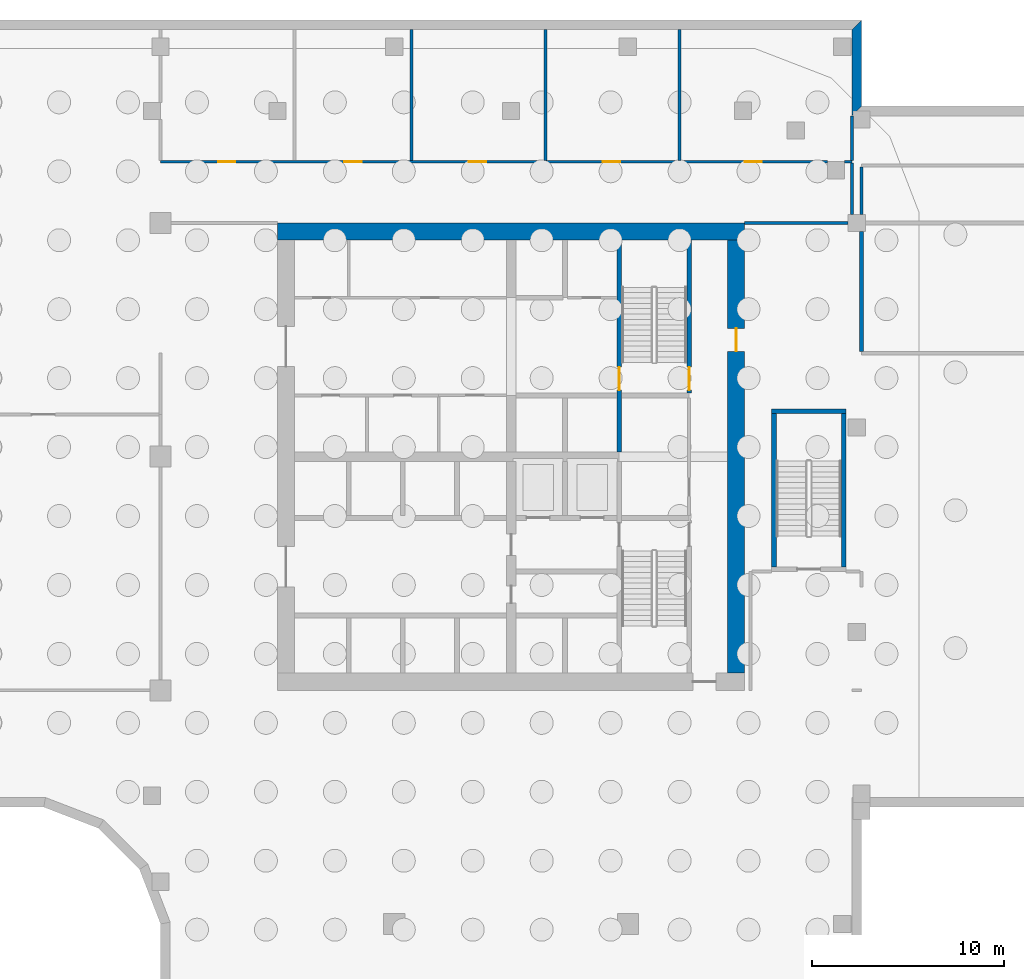
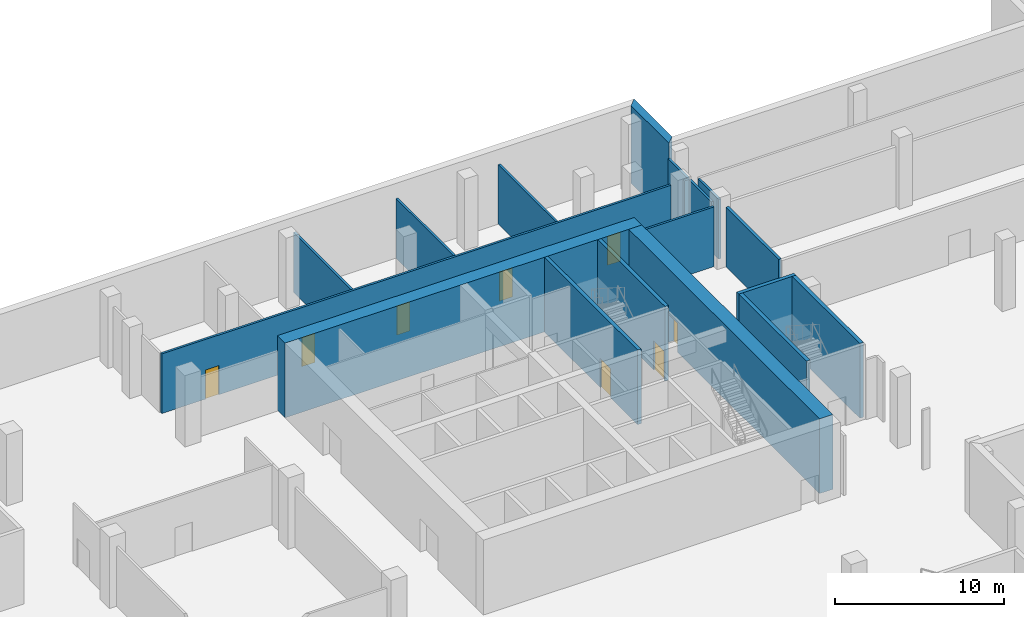
# One storey, part 6 of 13: 18 walls, 8 doors, 8 openings.
"""IFC4 building model written with IfcOpenShell, lengths in metres."""

from ifc_helpers import new_model, si_unit, direction, frame, frame_2d, origin, place, context, subcontext, project, spatial, polyline, rectangle, outline, extrude, source, transform, mapped, material, layer, layer_set, type_object, element, fill, save


model = new_model("IFC4")

# Units and contexts
model_context = context("Model", 3, precision=1e-05, world=origin(), true_north=direction((0.0, 1.0)))
body_context = subcontext(model_context, "Body", "Model", "MODEL_VIEW")
ifc_project = project(units=[si_unit("LENGTHUNIT", "METRE"), si_unit("AREAUNIT", "SQUARE_METRE"), si_unit("VOLUMEUNIT", "CUBIC_METRE"), si_unit("PLANEANGLEUNIT", "RADIAN"), si_unit("MASSUNIT", "GRAM", prefix="KILO")], contexts=[model_context])

# Site, building, storey
site_placement = place(None, origin())
site = spatial("IfcSite", under=ifc_project, at=site_placement, CompositionType="ELEMENT")
building_placement = place(site_placement, origin())
building = spatial("IfcBuilding", under=site, at=building_placement, Name="Tessera Gate Towers", CompositionType="ELEMENT")
storey_placement = place(building_placement, frame((0.0, 0.0, -5.39990234375)))
storey = spatial("IfcBuildingStorey", under=building, at=storey_placement, Name="B1", CompositionType="ELEMENT", Elevation=-5.39990234375)

# Wall, opening, door
ifc_material_1 = material(Name="Concrete C40/50", Category="concrete")
ifc_layer_1 = layer(ifc_material_1, 0.25)
ifc_layer_set_1 = layer_set([ifc_layer_1], Name="CORE ENCLOSURE WALL 250")
wall_type_1 = type_object("IfcWallType", Name="CORE ENCLOSURE WALL 250", PredefinedType="SOLIDWALL", material=ifc_layer_set_1)
wall_1_placement = place(storey_placement, frame((48.35009765625, 47.89990234375, 0.0), z_axis=(0.0, 0.0, 1.0), x_axis=(0.0, -1.0, 0.0)))
wall_1 = element("IfcWall", 1, at=wall_1_placement, inside=storey, type_object=wall_type_1, Name="B1 shaft and stair enclosure wall", PredefinedType="SOLIDWALL", context=body_context, shape_type="SweptSolid", body=[
    extrude(rectangle(XDim=11.0498046875, YDim=0.25, at=frame_2d((5.52490234375, 0.0))), origin(), (0.0, 0.0, 1.0), 5.39990234375),
])
shared_shape_1 = source(origin(), body_context, "Body", "SweptSolid", [
    extrude(rectangle(XDim=1.199951171875, YDim=2.10009765625, at=frame_2d((0.60009765625, 1.050048828125))), frame((0.0, 0.135009765625, 0.0), z_axis=(0.0, -1.0, 0.0), x_axis=(1.0, 0.0, 0.0)), (0.0, 0.0, 1.0), 0.27001953125),
])
opening_1_placement = place(wall_1_placement, frame((6.625, 0.0, 0.0)))
opening_1 = element("IfcOpeningElement", 2, at=opening_1_placement, cuts=wall_1, Name="Opening SD-ST2-1", PredefinedType="OPENING", context=body_context, shape_type="MappedRepresentation", body=[
    mapped(shared_shape_1, transform((0.0, 0.0, 0.0), scale=1.0)),
])
ifc_material_2 = material(Name="Hollow steel fire door", Category="steel")
door_type_1 = type_object("IfcDoorType", Name="CORE DOOR SD 1200x2100", OperationType="NOTDEFINED", PredefinedType="DOOR", material=ifc_material_2)
shared_shape_2 = source(origin(), body_context, "Body", "SweptSolid", [
    extrude(rectangle(XDim=1.199951171875, YDim=2.10009765625, at=frame_2d((0.60009765625, 1.050048828125))), frame((0.0, 0.02490234375, 0.0), z_axis=(0.0, -1.0, 0.0), x_axis=(1.0, 0.0, 0.0)), (0.0, 0.0, 1.0), 0.050048828125),
])
door_1_placement = place(opening_1_placement, origin())
door_1 = element("IfcDoor", 3, at=door_1_placement, inside=storey, type_object=door_type_1, Name="Stair door", OperationType="SINGLE_SWING_RIGHT", OverallHeight=2.10009765625, OverallWidth=1.199951171875, PredefinedType="DOOR", context=body_context, shape_type="MappedRepresentation", body=[
    mapped(shared_shape_2, transform((0.0, 0.0, 0.0), scale=1.0)),
])
fill(opening_1, door_1)

wall_2_placement = place(storey_placement, frame((52.0, 39.925048828125, 0.0), z_axis=(0.0, 0.0, 1.0), x_axis=(0.0, 1.0, 0.0)))
wall_2 = element("IfcWall", 4, at=wall_2_placement, inside=storey, type_object=wall_type_1, Name="B1 shaft and stair enclosure wall", PredefinedType="SOLIDWALL", context=body_context, shape_type="SweptSolid", body=[
    extrude(rectangle(XDim=7.974853515625, YDim=0.25, at=frame_2d((3.9873046875, 0.0))), origin(), (0.0, 0.0, 1.0), 5.39990234375),
])
opening_2_placement = place(wall_2_placement, frame((0.14990234375, 0.0, 0.0)))
opening_2 = element("IfcOpeningElement", 5, at=opening_2_placement, cuts=wall_2, Name="Opening SD-ST2-2", PredefinedType="OPENING", context=body_context, shape_type="MappedRepresentation", body=[
    mapped(shared_shape_1, transform((0.0, 0.0, 0.0), scale=1.0)),
])
door_2_placement = place(opening_2_placement, origin())
door_2 = element("IfcDoor", 6, at=door_2_placement, inside=storey, type_object=door_type_1, Name="Stair door", OperationType="SINGLE_SWING_LEFT", OverallHeight=2.10009765625, OverallWidth=1.199951171875, PredefinedType="DOOR", context=body_context, shape_type="MappedRepresentation", body=[
    mapped(shared_shape_2, transform((0.0, 0.0, 0.0), scale=1.0)),
])
fill(opening_2, door_2)

# Walls
wall_3_placement = place(storey_placement, frame((56.425048828125, 30.85009765625, 0.0), z_axis=(0.0, 0.0, 1.0), x_axis=(0.0, 1.0, 0.0)))
element("IfcWall", 7, at=wall_3_placement, inside=storey, type_object=wall_type_1, Name="B1 ST5 enclosure wall", PredefinedType="SOLIDWALL", context=body_context, shape_type="SweptSolid", body=[
    extrude(rectangle(XDim=8.0, YDim=0.25, at=frame_2d((4.0, 0.0))), origin(), (0.0, 0.0, 1.0), 5.39990234375),
])
wall_4_placement = place(storey_placement, frame((56.300048828125, 38.97509765625, 0.0), z_axis=(0.0, 0.0, 1.0), x_axis=(1.0, 0.0, 0.0)))
element("IfcWall", 8, at=wall_4_placement, inside=storey, type_object=wall_type_1, Name="B1 ST5 enclosure wall", PredefinedType="SOLIDWALL", context=body_context, shape_type="SweptSolid", body=[
    extrude(rectangle(XDim=3.89990234375, YDim=0.25, at=frame_2d((1.949951171875, 0.0))), origin(), (0.0, 0.0, 1.0), 5.39990234375),
])
wall_5_placement = place(storey_placement, frame((60.074951171875, 38.85009765625, 0.0), z_axis=(0.0, 0.0, 1.0), x_axis=(0.0, -1.0, 0.0)))
element("IfcWall", 9, at=wall_5_placement, inside=storey, type_object=wall_type_1, Name="B1 ST5 enclosure wall", PredefinedType="SOLIDWALL", context=body_context, shape_type="SweptSolid", body=[
    extrude(rectangle(XDim=8.0, YDim=0.25, at=frame_2d((4.0, 0.0))), origin(), (0.0, 0.0, 1.0), 5.39990234375),
])
ifc_material_3 = material(Name="Concrete C70/85", Category="concrete")
ifc_layer_2 = layer(ifc_material_3, 0.89990234375)
ifc_layer_set_2 = layer_set([ifc_layer_2], Name="CORE SHEAR WALL 900 C70/85")
wall_type_2 = type_object("IfcWallType", Name="CORE SHEAR WALL 900 C70/85", PredefinedType="SHEAR", material=ifc_layer_set_2)
wall_6_placement = place(storey_placement, frame((30.5, 48.35009765625, 0.0), z_axis=(0.0, 0.0, 1.0), x_axis=(1.0, 0.0, 0.0)))
element("IfcWall", 10, at=wall_6_placement, inside=storey, type_object=wall_type_2, Name="Core wall N B1", PredefinedType="SHEAR", context=body_context, shape_type="SweptSolid", body=[
    extrude(rectangle(XDim=24.39990234375, YDim=0.89990234375, at=frame_2d((12.199951171875, 0.0))), origin(), (0.0, 0.0, 1.0), 5.39990234375),
])

# Wall, opening, door
wall_7_placement = place(storey_placement, frame((54.449951171875, 47.89990234375, 0.0), z_axis=(0.0, 0.0, 1.0), x_axis=(0.0, -1.0, 0.0)))
wall_7 = element("IfcWall", 11, at=wall_7_placement, inside=storey, type_object=wall_type_2, Name="Core wall E B1", PredefinedType="SHEAR", context=body_context, shape_type="SweptSolid", body=[
    extrude(rectangle(XDim=22.599853515625, YDim=0.89990234375, at=frame_2d((11.2998046875, 0.0))), origin(), (0.0, 0.0, 1.0), 5.39990234375),
])
shared_shape_3 = source(origin(), body_context, "Body", "SweptSolid", [
    extrude(rectangle(XDim=1.199951171875, YDim=2.10009765625, at=frame_2d((0.60009765625, 1.050048828125))), frame((0.0, 0.4599609375, 0.0), z_axis=(0.0, -1.0, 0.0), x_axis=(1.0, 0.0, 0.0)), (0.0, 0.0, 1.0), 0.919921875),
])
opening_3_placement = place(wall_7_placement, frame((4.60009765625, 0.0, 0.0)))
opening_3 = element("IfcOpeningElement", 12, at=opening_3_placement, cuts=wall_7, Name="Opening ED-T1-01-04", PredefinedType="OPENING", context=body_context, shape_type="MappedRepresentation", body=[
    mapped(shared_shape_3, transform((0.0, 0.0, 0.0), scale=1.0)),
])
ifc_material_4 = material(Name="Hollow steel fire door", Category="steel")
door_type_2 = type_object("IfcDoorType", Name="CORE DOOR ED 1200x2100", OperationType="NOTDEFINED", PredefinedType="DOOR", material=ifc_material_4)
door_3_placement = place(opening_3_placement, origin())
door_3 = element("IfcDoor", 13, at=door_3_placement, inside=storey, type_object=door_type_2, Name="Core exit door", OperationType="SINGLE_SWING_LEFT", OverallHeight=2.10009765625, OverallWidth=1.199951171875, PredefinedType="DOOR", context=body_context, shape_type="MappedRepresentation", body=[
    mapped(shared_shape_2, transform((0.0, 0.0, 0.0), scale=1.0)),
])
fill(opening_3, door_3)

# Walls
ifc_material_5 = material(Name="Gypsum board on steel studs, mineral wool", Category="steel")
ifc_layer_3 = layer(ifc_material_5, 0.14990234375)
ifc_layer_set_3 = layer_set([ifc_layer_3], Name="CORRIDOR WALL 150")
wall_type_3 = type_object("IfcWallType", Name="CORRIDOR WALL 150", PredefinedType="PARTITIONING", material=ifc_layer_set_3)
wall_8_placement = place(storey_placement, frame((54.89990234375, 48.800048828125, 0.0), z_axis=(0.0, 0.0, 1.0), x_axis=(1.0, 0.0, 0.0)))
element("IfcWall", 14, at=wall_8_placement, inside=storey, type_object=wall_type_3, Name="PODIUM-B1-PW-018", PredefinedType="PARTITIONING", context=body_context, shape_type="SweptSolid", body=[
    extrude(rectangle(XDim=5.399169921875, YDim=0.14990234375, at=frame_2d((2.69970703125, 0.0))), origin(), (0.0, 0.0, 1.0), 4.31494140625),
])
wall_9_placement = place(storey_placement, frame((60.5, 49.2509765625, 0.0), z_axis=(0.0, 0.0, 1.0), x_axis=(0.0, 1.0, 0.0)))
element("IfcWall", 15, at=wall_9_placement, inside=storey, type_object=wall_type_3, Name="PODIUM-B1-PW-021", PredefinedType="PARTITIONING", context=body_context, shape_type="SweptSolid", body=[
    extrude(rectangle(XDim=2.673095703125, YDim=0.14990234375, at=frame_2d((1.33642578125, 0.0))), origin(), (0.0, 0.0, 1.0), 4.31494140625),
])
wall_10_placement = place(storey_placement, frame((61.0, 49.2509765625, 0.0), z_axis=(0.0, 0.0, 1.0), x_axis=(0.0, 1.0, 0.0)))
element("IfcWall", 16, at=wall_10_placement, inside=storey, type_object=wall_type_3, Name="PODIUM-B1-PW-022", PredefinedType="PARTITIONING", context=body_context, shape_type="SweptSolid", body=[
    extrude(rectangle(XDim=2.47314453125, YDim=0.14990234375, at=frame_2d((1.236572265625, 0.0))), origin(), (0.0, 0.0, 1.0), 4.31494140625),
])

# Wall, openings, doors
wall_11_placement = place(storey_placement, frame((24.39990234375, 52.0, 0.0), z_axis=(0.0, 0.0, 1.0), x_axis=(1.0, 0.0, 0.0)))
wall_11 = element("IfcWall", 17, at=wall_11_placement, inside=storey, type_object=wall_type_3, Name="PODIUM-B1-PW-034", PredefinedType="PARTITIONING", context=body_context, shape_type="SweptSolid", body=[
    extrude(rectangle(XDim=34.818115234375, YDim=0.14990234375, at=frame_2d((17.4091796875, 0.0))), origin(), (0.0, 0.0, 1.0), 4.31494140625),
])
shared_shape_4 = source(origin(), body_context, "Body", "SweptSolid", [
    extrude(rectangle(XDim=0.89990234375, YDim=2.10009765625, at=frame_2d((0.449951171875, 1.050048828125))), frame((0.0, 0.0849609375, 0.0), z_axis=(0.0, -1.0, 0.0), x_axis=(1.0, 0.0, 0.0)), (0.0, 0.0, 1.0), 0.169921875),
])
opening_4_placement = place(wall_11_placement, frame((9.60107421875, 0.0, 0.0)))
opening_4 = element("IfcOpeningElement", 18, at=opening_4_placement, cuts=wall_11, Name="Opening D890FD60-P00-03", PredefinedType="OPENING", context=body_context, shape_type="MappedRepresentation", body=[
    mapped(shared_shape_4, transform((0.0, 0.0, 0.0), scale=1.0)),
])
opening_5_placement = place(wall_11_placement, frame((23.10107421875, 0.0, 0.0)))
opening_5 = element("IfcOpeningElement", 19, at=opening_5_placement, cuts=wall_11, Name="Opening D890FD60-P00-05", PredefinedType="OPENING", context=body_context, shape_type="MappedRepresentation", body=[
    mapped(shared_shape_4, transform((0.0, 0.0, 0.0), scale=1.0)),
])
opening_6_placement = place(wall_11_placement, frame((3.0, 0.0, 0.0)))
opening_6 = element("IfcOpeningElement", 20, at=opening_6_placement, cuts=wall_11, Name="Opening D890FD60-P00-06", PredefinedType="OPENING", context=body_context, shape_type="MappedRepresentation", body=[
    mapped(shared_shape_4, transform((0.0, 0.0, 0.0), scale=1.0)),
])
opening_7_placement = place(wall_11_placement, frame((16.10009765625, 0.0, 0.0)))
opening_7 = element("IfcOpeningElement", 21, at=opening_7_placement, cuts=wall_11, Name="Opening D890FD60-P00-07", PredefinedType="OPENING", context=body_context, shape_type="MappedRepresentation", body=[
    mapped(shared_shape_4, transform((0.0, 0.0, 0.0), scale=1.0)),
])
opening_8_placement = place(wall_11_placement, frame((30.5, 0.0, 0.0)))
opening_8 = element("IfcOpeningElement", 22, at=opening_8_placement, cuts=wall_11, Name="Opening D890FD60-P00-08", PredefinedType="OPENING", context=body_context, shape_type="MappedRepresentation", body=[
    mapped(shared_shape_4, transform((0.0, 0.0, 0.0), scale=1.0)),
])
ifc_material_6 = material(Name="Timber door leaf in steel frame", Category="steel")
door_type_3 = type_object("IfcDoorType", Name="CORRIDOR DOOR 900 FD60", OperationType="NOTDEFINED", PredefinedType="DOOR", material=ifc_material_6)
shared_shape_5 = source(origin(), body_context, "Body", "SweptSolid", [
    extrude(rectangle(XDim=0.89990234375, YDim=2.10009765625, at=frame_2d((0.449951171875, 1.050048828125))), frame((0.0, 0.02490234375, 0.0), z_axis=(0.0, -1.0, 0.0), x_axis=(1.0, 0.0, 0.0)), (0.0, 0.0, 1.0), 0.050048828125),
])
door_4_placement = place(opening_4_placement, origin())
door_4 = element("IfcDoor", 23, at=door_4_placement, inside=storey, type_object=door_type_3, Name="PODIUM-B1-PD-004", OperationType="SINGLE_SWING_LEFT", OverallHeight=2.10009765625, OverallWidth=0.89990234375, PredefinedType="DOOR", context=body_context, shape_type="MappedRepresentation", body=[
    mapped(shared_shape_5, transform((0.0, 0.0, 0.0), scale=1.0)),
])
fill(opening_4, door_4)
door_5_placement = place(opening_5_placement, origin())
door_5 = element("IfcDoor", 24, at=door_5_placement, inside=storey, type_object=door_type_3, Name="PODIUM-B1-PD-006", OperationType="SINGLE_SWING_LEFT", OverallHeight=2.10009765625, OverallWidth=0.89990234375, PredefinedType="DOOR", context=body_context, shape_type="MappedRepresentation", body=[
    mapped(shared_shape_5, transform((0.0, 0.0, 0.0), scale=1.0)),
])
fill(opening_5, door_5)
door_6_placement = place(opening_6_placement, origin())
door_6 = element("IfcDoor", 25, at=door_6_placement, inside=storey, type_object=door_type_3, Name="PODIUM-B1-PD-007", OperationType="SINGLE_SWING_LEFT", OverallHeight=2.10009765625, OverallWidth=0.89990234375, PredefinedType="DOOR", context=body_context, shape_type="MappedRepresentation", body=[
    mapped(shared_shape_5, transform((0.0, 0.0, 0.0), scale=1.0)),
])
fill(opening_6, door_6)
door_7_placement = place(opening_7_placement, origin())
door_7 = element("IfcDoor", 26, at=door_7_placement, inside=storey, type_object=door_type_3, Name="PODIUM-B1-PD-008", OperationType="SINGLE_SWING_LEFT", OverallHeight=2.10009765625, OverallWidth=0.89990234375, PredefinedType="DOOR", context=body_context, shape_type="MappedRepresentation", body=[
    mapped(shared_shape_5, transform((0.0, 0.0, 0.0), scale=1.0)),
])
fill(opening_7, door_7)
door_8_placement = place(opening_8_placement, origin())
door_8 = element("IfcDoor", 27, at=door_8_placement, inside=storey, type_object=door_type_3, Name="PODIUM-B1-PD-009", OperationType="SINGLE_SWING_LEFT", OverallHeight=2.10009765625, OverallWidth=0.89990234375, PredefinedType="DOOR", context=body_context, shape_type="MappedRepresentation", body=[
    mapped(shared_shape_5, transform((0.0, 0.0, 0.0), scale=1.0)),
])
fill(opening_8, door_8)

# Walls
wall_12_placement = place(storey_placement, frame((60.1201171875, 52.0, 0.0), z_axis=(0.0, 0.0, 1.0), x_axis=(1.0, 0.0, 0.0)))
element("IfcWall", 28, at=wall_12_placement, inside=storey, type_object=wall_type_3, Name="PODIUM-B1-PW-035", PredefinedType="PARTITIONING", context=body_context, shape_type="SweptSolid", body=[
    extrude(rectangle(XDim=0.3798828125, YDim=0.14990234375, at=frame_2d((0.18994140625, 0.0))), origin(), (0.0, 0.0, 1.0), 4.31494140625),
])
ifc_material_7 = material(Name="Concrete masonry unit", Category="masonry")
ifc_layer_4 = layer(ifc_material_7, 0.199951171875)
ifc_layer_set_4 = layer_set([ifc_layer_4], Name="PLANT WALL 200")
wall_type_4 = type_object("IfcWallType", Name="PLANT WALL 200", PredefinedType="PARTITIONING", material=ifc_layer_set_4)
wall_13_placement = place(storey_placement, frame((61.0, 42.10107421875, 0.0), z_axis=(0.0, 0.0, 1.0), x_axis=(0.0, 1.0, 0.0)))
element("IfcWall", 29, at=wall_13_placement, inside=storey, type_object=wall_type_4, Name="PODIUM-B1-PW-015", PredefinedType="PARTITIONING", context=body_context, shape_type="SweptSolid", body=[
    extrude(rectangle(XDim=6.248046875, YDim=0.199951171875, at=frame_2d((3.1240234375, 0.0))), origin(), (0.0, 0.0, 1.0), 4.31494140625),
])
ifc_material_8 = material(Name="Concrete C40/50", Category="concrete")
ifc_layer_5 = layer(ifc_material_8, 0.5)
ifc_layer_set_5 = layer_set([ifc_layer_5], Name="RETAINING WALL 500 C40/50")
wall_type_5 = type_object("IfcWallType", Name="RETAINING WALL 500 C40/50", PredefinedType="SOLIDWALL", material=ifc_layer_set_5)
wall_14_placement = place(storey_placement, frame((0.0, 0.0, -0.2001953125)))
element("IfcWall", 30, at=wall_14_placement, inside=storey, type_object=wall_type_5, Name="PD-B1-RETAINING-17", PredefinedType="SOLIDWALL", context=body_context, shape_type="SweptSolid", body=[
    extrude(outline(polyline([(60.5, 54.39990234375), (61.0, 54.89990234375), (61.0, 59.39990234375), (60.5, 58.89990234375), (60.5, 54.39990234375)])), origin(), (0.0, 0.0, 1.0), 5.60009765625),
])
ifc_material_9 = material(Name="Gypsum board on steel studs, mineral wool", Category="steel")
ifc_layer_6 = layer(ifc_material_9, 0.14990234375)
ifc_layer_set_6 = layer_set([ifc_layer_6], Name="TENANCY WALL 150")
wall_type_6 = type_object("IfcWallType", Name="TENANCY WALL 150", PredefinedType="PARTITIONING", material=ifc_layer_set_6)
for number, where, z_axis, x_axis, name in (
    (31, (37.5, 52.075927734375, 0.0), (0.0, 0.0, 1.0), (0.0, 1.0, 0.0), "PODIUM-B1-PW-038"),
    (32, (44.5, 52.075927734375, 0.0), (0.0, 0.0, 1.0), (0.0, 1.0, 0.0), "PODIUM-B1-PW-039"),
    (33, (51.5, 52.075927734375, 0.0), (0.0, 0.0, 1.0), (0.0, 1.0, 0.0), "PODIUM-B1-PW-040"),
):
    element("IfcWall", number, at=place(storey_placement, frame(where, z_axis=z_axis, x_axis=x_axis)), inside=storey, type_object=wall_type_6, Name=name, PredefinedType="PARTITIONING", context=body_context, shape_type="SweptSolid", body=[
        extrude(rectangle(XDim=6.823974609375, YDim=0.14990234375, at=frame_2d((3.412109375, 0.0))), origin(), (0.0, 0.0, 1.0), 4.31494140625),
    ])
wall_15_placement = place(storey_placement, frame((60.5, 52.075927734375, 0.0), z_axis=(0.0, 0.0, 1.0), x_axis=(0.0, 1.0, 0.0)))
element("IfcWall", 34, at=wall_15_placement, inside=storey, type_object=wall_type_6, Name="PODIUM-B1-PW-041", PredefinedType="PARTITIONING", context=body_context, shape_type="SweptSolid", body=[
    extrude(rectangle(XDim=2.323974609375, YDim=0.14990234375, at=frame_2d((1.162109375, 0.0))), origin(), (0.0, 0.0, 1.0), 4.31494140625),
])

save(model, "model.ifc")
